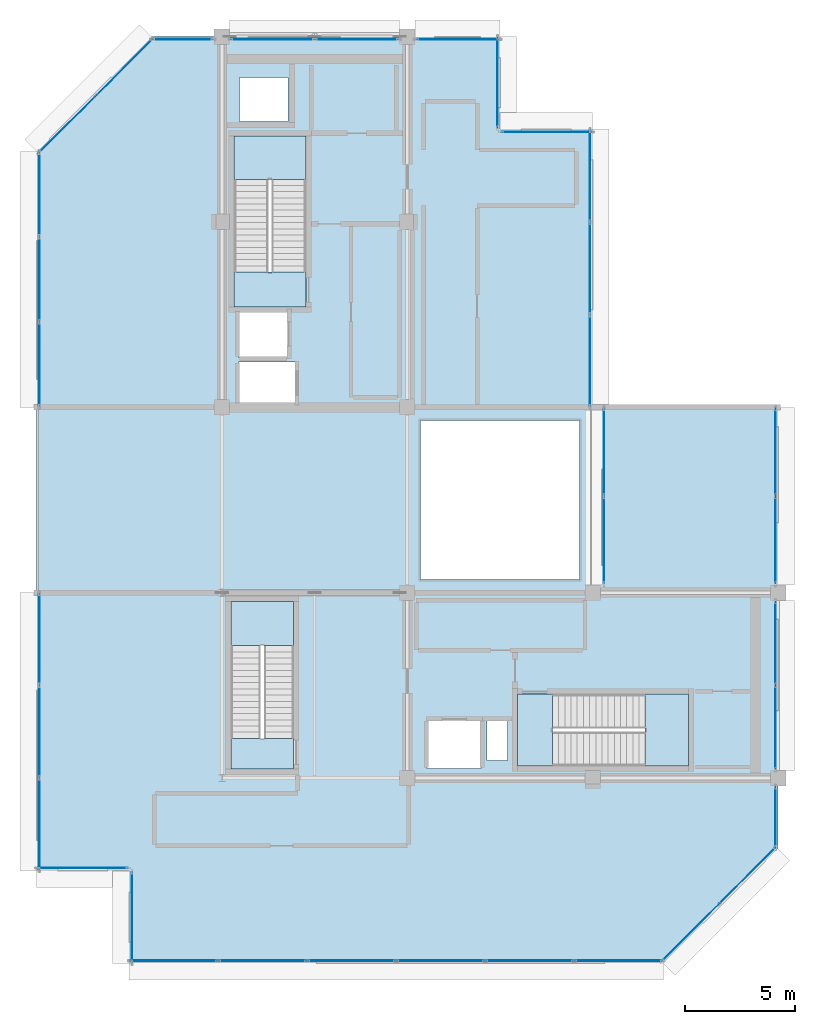
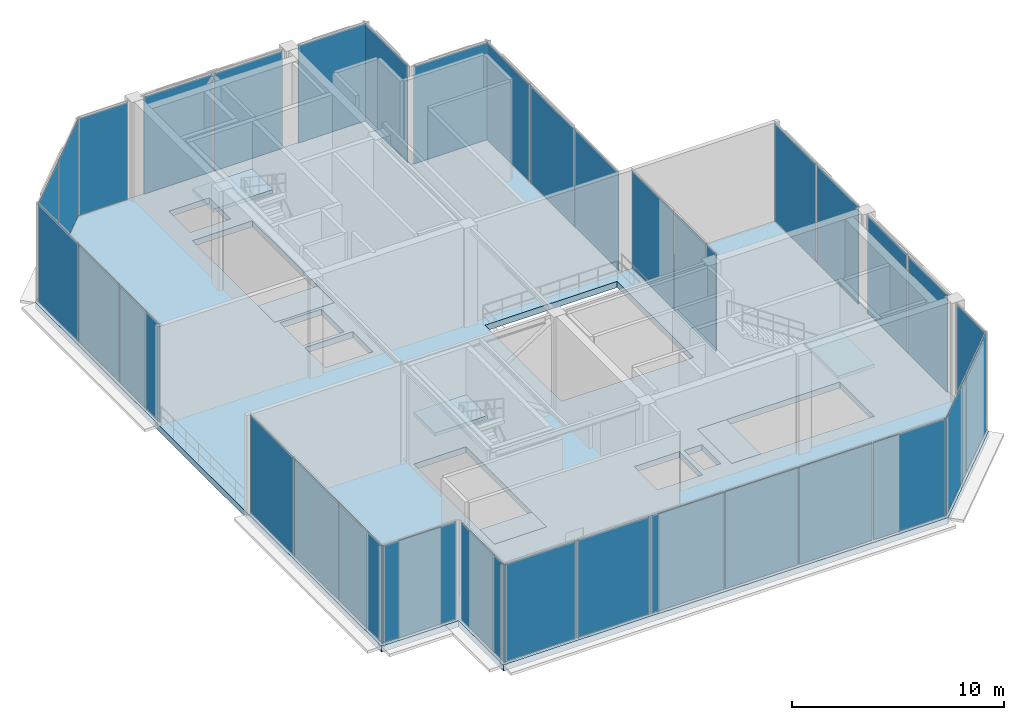
# One storey, part 14 of 19: 34 plates, 7 slabs, 20 elements without a shape of their own.
"""IFC4 building model written with IfcOpenShell, lengths in metres."""

from ifc_helpers import new_model, si_unit, direction, frame, origin, origin_2d, place, context, subcontext, project, spatial, polyline, rectangle, outline, extrude, material, layer, layer_set, type_object, element, aggregate, save


model = new_model("IFC4")

# Units and contexts
model_context = context("Model", 3, precision=1e-05, world=origin(), true_north=direction((0.0, 1.0)))
body_context = subcontext(model_context, "Body", "Model", "MODEL_VIEW")
ifc_project = project(units=[si_unit("LENGTHUNIT", "METRE"), si_unit("AREAUNIT", "SQUARE_METRE"), si_unit("VOLUMEUNIT", "CUBIC_METRE"), si_unit("PLANEANGLEUNIT", "RADIAN"), si_unit("MASSUNIT", "GRAM", prefix="KILO")], contexts=[model_context])

# Site, building, storey
site_placement = place(None, origin())
site = spatial("IfcSite", under=ifc_project, at=site_placement, CompositionType="ELEMENT")
building_placement = place(site_placement, origin())
building = spatial("IfcBuilding", under=site, at=building_placement, Name="Nerrivon Quay Data Exchange", CompositionType="ELEMENT")
storey_placement = place(building_placement, frame((0.0, 0.0, 327.0)))
storey = spatial("IfcBuildingStorey", under=building, at=storey_placement, Name="L78", CompositionType="ELEMENT", Elevation=327.0)

# Curtain wall, plates
ifc_material_1 = material(Name="Anodised aluminium 6063-T6", Category="aluminium")
ifc_layer_1 = layer(ifc_material_1, 0.22998046875)
ifc_layer_set_1 = layer_set([ifc_layer_1], Name="Anodised aluminium 6063-T6")
curtain_wall_type = type_object("IfcCurtainWallType", Name="CW-SYS-05", PredefinedType="NOTDEFINED", material=ifc_layer_set_1)
curtain_wall_1_placement = place(storey_placement, origin())
curtain_wall_1 = element("IfcCurtainWall", 1, at=curtain_wall_1_placement, inside=storey, type_object=curtain_wall_type, Name="L78 Crown Curtain Wall 1", PredefinedType="NOTDEFINED")
ifc_material_2 = material(Name="Double-glazed low-E solar control glass", Category="glass")
ifc_layer_2 = layer(ifc_material_2, 0.031982421875)
ifc_layer_set_2 = layer_set([ifc_layer_2], Name="Double-glazed low-E solar control glass")
plate_type = type_object("IfcPlateType", Name="CWP-GLZ-32", PredefinedType="CURTAIN_PANEL", material=ifc_layer_set_2)
plate_1_placement = place(storey_placement, frame((33.47998046875, 23.168701171875, 0.06494140625), z_axis=(0.0, 0.0, 1.0), x_axis=(0.0, -1.0, 0.0)))
plate_1 = element("IfcPlate", 2, at=plate_1_placement, type_object=plate_type, Name="CW05 panel 1.1", PredefinedType="CURTAIN_PANEL", context=body_context, shape_type="SweptSolid", body=[
    extrude(rectangle(XDim=3.91259765625, YDim=0.028076171875, at=origin_2d()), origin(), (0.0, 0.0, 1.0), 5.594970703125),
])
plate_2_placement = place(storey_placement, frame((33.47998046875, 19.18115234375, 0.06494140625), z_axis=(0.0, 0.0, 1.0), x_axis=(0.0, -1.0, 0.0)))
plate_2 = element("IfcPlate", 3, at=plate_2_placement, type_object=plate_type, Name="CW05 panel 2.1", PredefinedType="CURTAIN_PANEL", context=body_context, shape_type="SweptSolid", body=[
    extrude(rectangle(XDim=3.91259765625, YDim=0.028076171875, at=origin_2d()), origin(), (0.0, 0.0, 1.0), 5.594970703125),
])
aggregate(curtain_wall_1, [plate_1, plate_2])

curtain_wall_2_placement = place(storey_placement, origin())
curtain_wall_2 = element("IfcCurtainWall", 4, at=curtain_wall_2_placement, inside=storey, type_object=curtain_wall_type, Name="L78 Crown Curtain Wall 2", PredefinedType="NOTDEFINED")
plate_3_placement = place(storey_placement, frame((33.47998046875, 14.50634765625, 0.06494140625), z_axis=(0.0, 0.0, 1.0), x_axis=(0.0, -1.0, 0.0)))
plate_3 = element("IfcPlate", 5, at=plate_3_placement, type_object=plate_type, Name="CW05 panel 1.1", PredefinedType="CURTAIN_PANEL", context=body_context, shape_type="SweptSolid", body=[
    extrude(rectangle(XDim=3.737548828125, YDim=0.028076171875, at=origin_2d()), origin(), (0.0, 0.0, 1.0), 5.594970703125),
])
plate_4_placement = place(storey_placement, frame((33.47998046875, 10.69384765625, 0.06494140625), z_axis=(0.0, 0.0, 1.0), x_axis=(0.0, -1.0, 0.0)))
plate_4 = element("IfcPlate", 6, at=plate_4_placement, type_object=plate_type, Name="CW05 panel 2.1", PredefinedType="CURTAIN_PANEL", context=body_context, shape_type="SweptSolid", body=[
    extrude(rectangle(XDim=3.737548828125, YDim=0.028076171875, at=origin_2d()), origin(), (0.0, 0.0, 1.0), 5.594970703125),
])
aggregate(curtain_wall_2, [plate_3, plate_4])

# Curtain wall, plate
curtain_wall_3_placement = place(storey_placement, origin())
curtain_wall_3 = element("IfcCurtainWall", 7, at=curtain_wall_3_placement, inside=storey, type_object=curtain_wall_type, Name="L78 Crown Curtain Wall 3", PredefinedType="NOTDEFINED")
plate_5_placement = place(storey_placement, frame((33.47998046875, 6.625, 0.06494140625), z_axis=(0.0, 0.0, 1.0), x_axis=(0.0, -1.0, 0.0)))
plate_5 = element("IfcPlate", 8, at=plate_5_placement, type_object=plate_type, Name="CW05 panel 1.1", PredefinedType="CURTAIN_PANEL", context=body_context, shape_type="SweptSolid", body=[
    extrude(rectangle(XDim=2.699951171875, YDim=0.028076171875, at=origin_2d()), origin(), (0.0, 0.0, 1.0), 5.594970703125),
])
aggregate(curtain_wall_3, [plate_5])

# Curtain wall, plates
curtain_wall_4_placement = place(storey_placement, origin())
curtain_wall_4 = element("IfcCurtainWall", 9, at=curtain_wall_4_placement, inside=storey, type_object=curtain_wall_type, Name="L78 Crown Curtain Wall 4", PredefinedType="NOTDEFINED")
plate_6_placement = place(storey_placement, frame((32.201904296875, 3.9716796875, 0.06494140625), z_axis=(0.0, 0.0, 1.0), x_axis=(-0.707106781187, -0.707106781187, 0.0)))
plate_6 = element("IfcPlate", 10, at=plate_6_placement, type_object=plate_type, Name="CW05 panel 1.1", PredefinedType="CURTAIN_PANEL", context=body_context, shape_type="SweptSolid", body=[
    extrude(rectangle(XDim=3.564453125, YDim=0.028076171875, at=origin_2d()), origin(), (0.0, 0.0, 1.0), 5.594970703125),
])
plate_7_placement = place(storey_placement, frame((29.62841796875, 1.398193359375, 0.06494140625), z_axis=(0.0, 0.0, 1.0), x_axis=(-0.707106781187, -0.707106781187, 0.0)))
plate_7 = element("IfcPlate", 11, at=plate_7_placement, type_object=plate_type, Name="CW05 panel 2.1", PredefinedType="CURTAIN_PANEL", context=body_context, shape_type="SweptSolid", body=[
    extrude(rectangle(XDim=3.564453125, YDim=0.028076171875, at=origin_2d()), origin(), (0.0, 0.0, 1.0), 5.594970703125),
])
aggregate(curtain_wall_4, [plate_6, plate_7])

curtain_wall_5_placement = place(storey_placement, origin())
curtain_wall_5 = element("IfcCurtainWall", 12, at=curtain_wall_5_placement, inside=storey, type_object=curtain_wall_type, Name="L78 Crown Curtain Wall 5", PredefinedType="NOTDEFINED")
plate_8_placement = place(storey_placement, frame((26.364501953125, 0.1201171875, 0.06494140625), z_axis=(0.0, 0.0, 1.0), x_axis=(-1.0, 0.0, 0.0)))
plate_8 = element("IfcPlate", 13, at=plate_8_placement, type_object=plate_type, Name="CW05 panel 1.1", PredefinedType="CURTAIN_PANEL", context=body_context, shape_type="SweptSolid", body=[
    extrude(rectangle(XDim=3.9208984375, YDim=0.028076171875, at=origin_2d()), origin(), (0.0, 0.0, 1.0), 5.594970703125),
])
plate_9_placement = place(storey_placement, frame((22.35009765625, 0.1201171875, 0.06494140625), z_axis=(0.0, 0.0, 1.0), x_axis=(-1.0, 0.0, 0.0)))
plate_9 = element("IfcPlate", 14, at=plate_9_placement, type_object=plate_type, Name="CW05 panel 2.1", PredefinedType="CURTAIN_PANEL", context=body_context, shape_type="SweptSolid", body=[
    extrude(rectangle(XDim=3.958251953125, YDim=0.028076171875, at=origin_2d()), origin(), (0.0, 0.0, 1.0), 5.594970703125),
])
plate_10_placement = place(storey_placement, frame((18.316650390625, 0.1201171875, 0.06494140625), z_axis=(0.0, 0.0, 1.0), x_axis=(-1.0, 0.0, 0.0)))
plate_10 = element("IfcPlate", 15, at=plate_10_placement, type_object=plate_type, Name="CW05 panel 3.1", PredefinedType="CURTAIN_PANEL", context=body_context, shape_type="SweptSolid", body=[
    extrude(rectangle(XDim=3.958251953125, YDim=0.028076171875, at=origin_2d()), origin(), (0.0, 0.0, 1.0), 5.594970703125),
])
plate_11_placement = place(storey_placement, frame((14.283447265625, 0.1201171875, 0.06494140625), z_axis=(0.0, 0.0, 1.0), x_axis=(-1.0, 0.0, 0.0)))
plate_11 = element("IfcPlate", 16, at=plate_11_placement, type_object=plate_type, Name="CW05 panel 4.1", PredefinedType="CURTAIN_PANEL", context=body_context, shape_type="SweptSolid", body=[
    extrude(rectangle(XDim=3.958251953125, YDim=0.028076171875, at=origin_2d()), origin(), (0.0, 0.0, 1.0), 5.594970703125),
])
plate_12_placement = place(storey_placement, frame((10.25, 0.1201171875, 0.06494140625), z_axis=(0.0, 0.0, 1.0), x_axis=(-1.0, 0.0, 0.0)))
plate_12 = element("IfcPlate", 17, at=plate_12_placement, type_object=plate_type, Name="CW05 panel 5.1", PredefinedType="CURTAIN_PANEL", context=body_context, shape_type="SweptSolid", body=[
    extrude(rectangle(XDim=3.958251953125, YDim=0.028076171875, at=origin_2d()), origin(), (0.0, 0.0, 1.0), 5.594970703125),
])
plate_13_placement = place(storey_placement, frame((6.2353515625, 0.1201171875, 0.06494140625), z_axis=(0.0, 0.0, 1.0), x_axis=(-1.0, 0.0, 0.0)))
plate_13 = element("IfcPlate", 18, at=plate_13_placement, type_object=plate_type, Name="CW05 panel 6.1", PredefinedType="CURTAIN_PANEL", context=body_context, shape_type="SweptSolid", body=[
    extrude(rectangle(XDim=3.9208984375, YDim=0.028076171875, at=origin_2d()), origin(), (0.0, 0.0, 1.0), 5.594970703125),
])
aggregate(curtain_wall_5, [plate_8, plate_9, plate_10, plate_11, plate_12, plate_13])

# Curtain wall, plate
curtain_wall_6_placement = place(storey_placement, origin())
curtain_wall_6 = element("IfcCurtainWall", 19, at=curtain_wall_6_placement, inside=storey, type_object=curtain_wall_type, Name="L78 Crown Curtain Wall 6", PredefinedType="NOTDEFINED")
plate_14_placement = place(storey_placement, frame((4.320068359375, 2.10009765625, 0.06494140625), z_axis=(0.0, 0.0, 1.0), x_axis=(0.0, 1.0, 0.0)))
plate_14 = element("IfcPlate", 20, at=plate_14_placement, type_object=plate_type, Name="CW05 panel 1.1", PredefinedType="CURTAIN_PANEL", context=body_context, shape_type="SweptSolid", body=[
    extrude(rectangle(XDim=4.050048828125, YDim=0.028076171875, at=origin_2d()), origin(), (0.0, 0.0, 1.0), 5.594970703125),
])
aggregate(curtain_wall_6, [plate_14])

curtain_wall_7_placement = place(storey_placement, origin())
curtain_wall_7 = element("IfcCurtainWall", 21, at=curtain_wall_7_placement, inside=storey, type_object=curtain_wall_type, Name="L78 Crown Curtain Wall 7", PredefinedType="NOTDEFINED")
plate_15_placement = place(storey_placement, frame((2.10009765625, 4.320068359375, 0.06494140625), z_axis=(0.0, 0.0, 1.0), x_axis=(-1.0, 0.0, 0.0)))
plate_15 = element("IfcPlate", 22, at=plate_15_placement, type_object=plate_type, Name="CW05 panel 1.1", PredefinedType="CURTAIN_PANEL", context=body_context, shape_type="SweptSolid", body=[
    extrude(rectangle(XDim=4.050048828125, YDim=0.028076171875, at=origin_2d()), origin(), (0.0, 0.0, 1.0), 5.594970703125),
])
aggregate(curtain_wall_7, [plate_15])

# Curtain wall, plates
curtain_wall_8_placement = place(storey_placement, origin())
curtain_wall_8 = element("IfcCurtainWall", 23, at=curtain_wall_8_placement, inside=storey, type_object=curtain_wall_type, Name="L78 Crown Curtain Wall 8", PredefinedType="NOTDEFINED")
plate_16_placement = place(storey_placement, frame((0.1201171875, 6.31884765625, 0.06494140625), z_axis=(0.0, 0.0, 1.0), x_axis=(0.0, 1.0, 0.0)))
plate_16 = element("IfcPlate", 24, at=plate_16_placement, type_object=plate_type, Name="CW05 panel 1.1", PredefinedType="CURTAIN_PANEL", context=body_context, shape_type="SweptSolid", body=[
    extrude(rectangle(XDim=4.08740234375, YDim=0.028076171875, at=origin_2d()), origin(), (0.0, 0.0, 1.0), 5.594970703125),
])
plate_17_placement = place(storey_placement, frame((0.1201171875, 10.5, 0.06494140625), z_axis=(0.0, 0.0, 1.0), x_axis=(0.0, 1.0, 0.0)))
plate_17 = element("IfcPlate", 25, at=plate_17_placement, type_object=plate_type, Name="CW05 panel 2.1", PredefinedType="CURTAIN_PANEL", context=body_context, shape_type="SweptSolid", body=[
    extrude(rectangle(XDim=4.125, YDim=0.028076171875, at=origin_2d()), origin(), (0.0, 0.0, 1.0), 5.594970703125),
])
plate_18_placement = place(storey_placement, frame((0.1201171875, 14.68115234375, 0.06494140625), z_axis=(0.0, 0.0, 1.0), x_axis=(0.0, 1.0, 0.0)))
plate_18 = element("IfcPlate", 26, at=plate_18_placement, type_object=plate_type, Name="CW05 panel 3.1", PredefinedType="CURTAIN_PANEL", context=body_context, shape_type="SweptSolid", body=[
    extrude(rectangle(XDim=4.08740234375, YDim=0.028076171875, at=origin_2d()), origin(), (0.0, 0.0, 1.0), 5.594970703125),
])
aggregate(curtain_wall_8, [plate_16, plate_17, plate_18])

curtain_wall_9_placement = place(storey_placement, origin())
curtain_wall_9 = element("IfcCurtainWall", 27, at=curtain_wall_9_placement, inside=storey, type_object=curtain_wall_type, Name="L78 Crown Curtain Wall 12", PredefinedType="NOTDEFINED")
plate_19_placement = place(storey_placement, frame((25.719970703125, 19.18115234375, 0.06494140625), z_axis=(0.0, 0.0, 1.0), x_axis=(0.0, 1.0, 0.0)))
plate_19 = element("IfcPlate", 28, at=plate_19_placement, type_object=plate_type, Name="CW05 panel 1.1", PredefinedType="CURTAIN_PANEL", context=body_context, shape_type="SweptSolid", body=[
    extrude(rectangle(XDim=3.91259765625, YDim=0.028076171875, at=origin_2d()), origin(), (0.0, 0.0, 1.0), 5.594970703125),
])
plate_20_placement = place(storey_placement, frame((25.719970703125, 23.168701171875, 0.06494140625), z_axis=(0.0, 0.0, 1.0), x_axis=(0.0, 1.0, 0.0)))
plate_20 = element("IfcPlate", 29, at=plate_20_placement, type_object=plate_type, Name="CW05 panel 2.1", PredefinedType="CURTAIN_PANEL", context=body_context, shape_type="SweptSolid", body=[
    extrude(rectangle(XDim=3.91259765625, YDim=0.028076171875, at=origin_2d()), origin(), (0.0, 0.0, 1.0), 5.594970703125),
])
aggregate(curtain_wall_9, [plate_19, plate_20])

curtain_wall_10_placement = place(storey_placement, origin())
curtain_wall_10 = element("IfcCurtainWall", 30, at=curtain_wall_10_placement, inside=storey, type_object=curtain_wall_type, Name="L78 Crown Curtain Wall 14", PredefinedType="NOTDEFINED")
plate_21_placement = place(storey_placement, frame((1.398193359375, 38.0283203125, 0.06494140625), z_axis=(0.0, 0.0, 1.0), x_axis=(0.707106781187, 0.707106781187, 0.0)))
plate_21 = element("IfcPlate", 31, at=plate_21_placement, type_object=plate_type, Name="CW05 panel 1.1", PredefinedType="CURTAIN_PANEL", context=body_context, shape_type="SweptSolid", body=[
    extrude(rectangle(XDim=3.564453125, YDim=0.028076171875, at=origin_2d()), origin(), (0.0, 0.0, 1.0), 5.594970703125),
])
plate_22_placement = place(storey_placement, frame((3.9716796875, 40.601806640625, 0.06494140625), z_axis=(0.0, 0.0, 1.0), x_axis=(0.707106781187, 0.707106781187, 0.0)))
plate_22 = element("IfcPlate", 32, at=plate_22_placement, type_object=plate_type, Name="CW05 panel 2.1", PredefinedType="CURTAIN_PANEL", context=body_context, shape_type="SweptSolid", body=[
    extrude(rectangle(XDim=3.564453125, YDim=0.028076171875, at=origin_2d()), origin(), (0.0, 0.0, 1.0), 5.594970703125),
])
aggregate(curtain_wall_10, [plate_21, plate_22])

# Curtain wall, plate
curtain_wall_11_placement = place(storey_placement, origin())
curtain_wall_11 = element("IfcCurtainWall", 33, at=curtain_wall_11_placement, inside=storey, type_object=curtain_wall_type, Name="L78 Crown Curtain Wall 15", PredefinedType="NOTDEFINED")
plate_23_placement = place(storey_placement, frame((6.625, 41.8798828125, 0.06494140625), z_axis=(0.0, 0.0, 1.0), x_axis=(1.0, 0.0, 0.0)))
plate_23 = element("IfcPlate", 34, at=plate_23_placement, type_object=plate_type, Name="CW05 panel 1.1", PredefinedType="CURTAIN_PANEL", context=body_context, shape_type="SweptSolid", body=[
    extrude(rectangle(XDim=2.699951171875, YDim=0.028076171875, at=origin_2d()), origin(), (0.0, 0.0, 1.0), 5.594970703125),
])
aggregate(curtain_wall_11, [plate_23])

# Curtain wall, plates
curtain_wall_12_placement = place(storey_placement, origin())
curtain_wall_12 = element("IfcCurtainWall", 35, at=curtain_wall_12_placement, inside=storey, type_object=curtain_wall_type, Name="L78 Crown Curtain Wall 16", PredefinedType="NOTDEFINED")
plate_24_placement = place(storey_placement, frame((10.69384765625, 41.8798828125, 0.06494140625), z_axis=(0.0, 0.0, 1.0), x_axis=(1.0, 0.0, 0.0)))
plate_24 = element("IfcPlate", 36, at=plate_24_placement, type_object=plate_type, Name="CW05 panel 1.1", PredefinedType="CURTAIN_PANEL", context=body_context, shape_type="SweptSolid", body=[
    extrude(rectangle(XDim=3.737548828125, YDim=0.028076171875, at=origin_2d()), origin(), (0.0, 0.0, 1.0), 5.594970703125),
])
plate_25_placement = place(storey_placement, frame((14.50634765625, 41.8798828125, 0.06494140625), z_axis=(0.0, 0.0, 1.0), x_axis=(1.0, 0.0, 0.0)))
plate_25 = element("IfcPlate", 37, at=plate_25_placement, type_object=plate_type, Name="CW05 panel 2.1", PredefinedType="CURTAIN_PANEL", context=body_context, shape_type="SweptSolid", body=[
    extrude(rectangle(XDim=3.737548828125, YDim=0.028076171875, at=origin_2d()), origin(), (0.0, 0.0, 1.0), 5.594970703125),
])
aggregate(curtain_wall_12, [plate_24, plate_25])

# Curtain wall, plate
curtain_wall_13_placement = place(storey_placement, origin())
curtain_wall_13 = element("IfcCurtainWall", 38, at=curtain_wall_13_placement, inside=storey, type_object=curtain_wall_type, Name="L78 Crown Curtain Wall 17", PredefinedType="NOTDEFINED")
plate_26_placement = place(storey_placement, frame((19.074951171875, 41.8798828125, 0.06494140625), z_axis=(0.0, 0.0, 1.0), x_axis=(1.0, 0.0, 0.0)))
plate_26 = element("IfcPlate", 39, at=plate_26_placement, type_object=plate_type, Name="CW05 panel 1.1", PredefinedType="CURTAIN_PANEL", context=body_context, shape_type="SweptSolid", body=[
    extrude(rectangle(XDim=3.699951171875, YDim=0.028076171875, at=origin_2d()), origin(), (0.0, 0.0, 1.0), 5.594970703125),
])
aggregate(curtain_wall_13, [plate_26])

curtain_wall_14_placement = place(storey_placement, origin())
curtain_wall_14 = element("IfcCurtainWall", 40, at=curtain_wall_14_placement, inside=storey, type_object=curtain_wall_type, Name="L78 Crown Curtain Wall 18", PredefinedType="NOTDEFINED")
plate_27_placement = place(storey_placement, frame((20.8798828125, 39.89990234375, 0.06494140625), z_axis=(0.0, 0.0, 1.0), x_axis=(0.0, -1.0, 0.0)))
plate_27 = element("IfcPlate", 41, at=plate_27_placement, type_object=plate_type, Name="CW05 panel 1.1", PredefinedType="CURTAIN_PANEL", context=body_context, shape_type="SweptSolid", body=[
    extrude(rectangle(XDim=4.050048828125, YDim=0.028076171875, at=origin_2d()), origin(), (0.0, 0.0, 1.0), 5.594970703125),
])
aggregate(curtain_wall_14, [plate_27])

curtain_wall_15_placement = place(storey_placement, origin())
curtain_wall_15 = element("IfcCurtainWall", 42, at=curtain_wall_15_placement, inside=storey, type_object=curtain_wall_type, Name="L78 Crown Curtain Wall 19", PredefinedType="NOTDEFINED")
plate_28_placement = place(storey_placement, frame((23.10009765625, 37.679931640625, 0.06494140625), z_axis=(0.0, 0.0, 1.0), x_axis=(1.0, 0.0, 0.0)))
plate_28 = element("IfcPlate", 43, at=plate_28_placement, type_object=plate_type, Name="CW05 panel 1.1", PredefinedType="CURTAIN_PANEL", context=body_context, shape_type="SweptSolid", body=[
    extrude(rectangle(XDim=4.050048828125, YDim=0.028076171875, at=origin_2d()), origin(), (0.0, 0.0, 1.0), 5.594970703125),
])
aggregate(curtain_wall_15, [plate_28])

# Curtain wall, plates
curtain_wall_16_placement = place(storey_placement, origin())
curtain_wall_16 = element("IfcCurtainWall", 44, at=curtain_wall_16_placement, inside=storey, type_object=curtain_wall_type, Name="L78 Crown Curtain Wall 20", PredefinedType="NOTDEFINED")
plate_29_placement = place(storey_placement, frame((25.080078125, 35.68115234375, 0.06494140625), z_axis=(0.0, 0.0, 1.0), x_axis=(0.0, -1.0, 0.0)))
plate_29 = element("IfcPlate", 45, at=plate_29_placement, type_object=plate_type, Name="CW05 panel 1.1", PredefinedType="CURTAIN_PANEL", context=body_context, shape_type="SweptSolid", body=[
    extrude(rectangle(XDim=4.08740234375, YDim=0.028076171875, at=origin_2d()), origin(), (0.0, 0.0, 1.0), 5.594970703125),
])
plate_30_placement = place(storey_placement, frame((25.080078125, 31.5, 0.06494140625), z_axis=(0.0, 0.0, 1.0), x_axis=(0.0, -1.0, 0.0)))
plate_30 = element("IfcPlate", 46, at=plate_30_placement, type_object=plate_type, Name="CW05 panel 2.1", PredefinedType="CURTAIN_PANEL", context=body_context, shape_type="SweptSolid", body=[
    extrude(rectangle(XDim=4.125, YDim=0.028076171875, at=origin_2d()), origin(), (0.0, 0.0, 1.0), 5.594970703125),
])
plate_31_placement = place(storey_placement, frame((25.080078125, 27.31884765625, 0.06494140625), z_axis=(0.0, 0.0, 1.0), x_axis=(0.0, -1.0, 0.0)))
plate_31 = element("IfcPlate", 47, at=plate_31_placement, type_object=plate_type, Name="CW05 panel 3.1", PredefinedType="CURTAIN_PANEL", context=body_context, shape_type="SweptSolid", body=[
    extrude(rectangle(XDim=4.08740234375, YDim=0.028076171875, at=origin_2d()), origin(), (0.0, 0.0, 1.0), 5.594970703125),
])
aggregate(curtain_wall_16, [plate_29, plate_30, plate_31])

curtain_wall_17_placement = place(storey_placement, origin())
curtain_wall_17 = element("IfcCurtainWall", 48, at=curtain_wall_17_placement, inside=storey, type_object=curtain_wall_type, Name="L78 Crown Curtain Wall 24", PredefinedType="NOTDEFINED")
plate_32_placement = place(storey_placement, frame((0.1201171875, 27.152099609375, 0.06494140625), z_axis=(0.0, 0.0, 1.0), x_axis=(0.0, 1.0, 0.0)))
plate_32 = element("IfcPlate", 49, at=plate_32_placement, type_object=plate_type, Name="CW05 panel 1.1", PredefinedType="CURTAIN_PANEL", context=body_context, shape_type="SweptSolid", body=[
    extrude(rectangle(XDim=3.754150390625, YDim=0.028076171875, at=origin_2d()), origin(), (0.0, 0.0, 1.0), 5.594970703125),
])
plate_33_placement = place(storey_placement, frame((0.1201171875, 31.0, 0.06494140625), z_axis=(0.0, 0.0, 1.0), x_axis=(0.0, 1.0, 0.0)))
plate_33 = element("IfcPlate", 50, at=plate_33_placement, type_object=plate_type, Name="CW05 panel 2.1", PredefinedType="CURTAIN_PANEL", context=body_context, shape_type="SweptSolid", body=[
    extrude(rectangle(XDim=3.791748046875, YDim=0.028076171875, at=origin_2d()), origin(), (0.0, 0.0, 1.0), 5.594970703125),
])
plate_34_placement = place(storey_placement, frame((0.1201171875, 34.847900390625, 0.06494140625), z_axis=(0.0, 0.0, 1.0), x_axis=(0.0, 1.0, 0.0)))
plate_34 = element("IfcPlate", 51, at=plate_34_placement, type_object=plate_type, Name="CW05 panel 3.1", PredefinedType="CURTAIN_PANEL", context=body_context, shape_type="SweptSolid", body=[
    extrude(rectangle(XDim=3.754150390625, YDim=0.028076171875, at=origin_2d()), origin(), (0.0, 0.0, 1.0), 5.594970703125),
])
aggregate(curtain_wall_17, [plate_32, plate_33, plate_34])

# Stair, slab
ifc_material_3 = material(Name="Concrete N50 (50 MPa)", Category="concrete")
stair_type = type_object("IfcStairType", Name="STAIR-DOG-54", PredefinedType="HALF_TURN_STAIR", material=ifc_material_3)
stair_1_placement = place(storey_placement, origin())
stair_1 = element("IfcStair", 52, at=stair_1_placement, inside=storey, type_object=stair_type, Name="L78 West Core Fire Stair ST01", PredefinedType="HALF_TURN_STAIR")
ifc_layer_3 = layer(ifc_material_3, 0.199951171875)
ifc_layer_set_3 = layer_set([ifc_layer_3], Name="Concrete N50 (50 MPa)")
slab_type_1 = type_object("IfcSlabType", Name="SLB-LAND-200", PredefinedType="LANDING", material=ifc_layer_set_3)
slab_1_placement = place(storey_placement, frame((0.0, 0.0, 2.800048828125)))
slab_1 = element("IfcSlab", 53, at=slab_1_placement, type_object=slab_type_1, Name="ST01 landing 1", PredefinedType="LANDING", context=body_context, shape_type="SweptSolid", body=[
    extrude(outline(polyline([(12.199951171875, 35.530029296875), (12.199951171875, 37.5), (8.949951171875, 37.5), (8.949951171875, 35.530029296875), (12.199951171875, 35.530029296875)])), origin(), (0.0, 0.0, 1.0), 0.199951171875),
])
aggregate(stair_1, [slab_1])

# Slab
slab_2_placement = place(storey_placement, frame((0.0, 0.0, -0.199951171875)))
element("IfcSlab", 54, at=slab_2_placement, inside=storey, type_object=slab_type_1, Name="L78 ST01 floor landing", PredefinedType="LANDING", context=body_context, shape_type="SweptSolid", body=[
    extrude(outline(polyline([(12.199951171875, 29.75), (12.199951171875, 31.330078125), (8.949951171875, 31.330078125), (8.949951171875, 29.75), (12.199951171875, 29.75)])), origin(), (0.0, 0.0, 1.0), 0.199951171875),
])

# Stair, slab
stair_2_placement = place(storey_placement, origin())
stair_2 = element("IfcStair", 55, at=stair_2_placement, inside=storey, type_object=stair_type, Name="L78 East Core Fire Stair ST02", PredefinedType="HALF_TURN_STAIR")
slab_3_placement = place(storey_placement, frame((0.0, 0.0, 2.800048828125)))
slab_3 = element("IfcSlab", 56, at=slab_3_placement, type_object=slab_type_1, Name="ST02 landing 1", PredefinedType="LANDING", context=body_context, shape_type="SweptSolid", body=[
    extrude(outline(polyline([(27.580078125, 8.949951171875), (29.550048828125, 8.949951171875), (29.550048828125, 12.199951171875), (27.580078125, 12.199951171875), (27.580078125, 8.949951171875)])), origin(), (0.0, 0.0, 1.0), 0.199951171875),
])
aggregate(stair_2, [slab_3])

# Slab
slab_4_placement = place(storey_placement, frame((0.0, 0.0, -0.199951171875)))
element("IfcSlab", 57, at=slab_4_placement, inside=storey, type_object=slab_type_1, Name="L78 ST02 floor landing", PredefinedType="LANDING", context=body_context, shape_type="SweptSolid", body=[
    extrude(outline(polyline([(21.800048828125, 8.949951171875), (23.3798828125, 8.949951171875), (23.3798828125, 12.199951171875), (21.800048828125, 12.199951171875), (21.800048828125, 8.949951171875)])), origin(), (0.0, 0.0, 1.0), 0.199951171875),
])

# Stair, slab
stair_3_placement = place(storey_placement, origin())
stair_3 = element("IfcStair", 58, at=stair_3_placement, inside=storey, type_object=stair_type, Name="L78 Crown Maintenance Stair ST08", PredefinedType="HALF_TURN_STAIR")
slab_5_placement = place(storey_placement, frame((0.0, 0.0, 2.800048828125)))
slab_5 = element("IfcSlab", 59, at=slab_5_placement, type_object=slab_type_1, Name="ST08 landing 1", PredefinedType="LANDING", context=body_context, shape_type="SweptSolid", body=[
    extrude(outline(polyline([(11.64990234375, 14.39990234375), (11.64990234375, 16.39990234375), (8.800048828125, 16.39990234375), (8.800048828125, 14.39990234375), (11.64990234375, 14.39990234375)])), origin(), (0.0, 0.0, 1.0), 0.199951171875),
])
aggregate(stair_3, [slab_5])

# Slabs
slab_6_placement = place(storey_placement, frame((0.0, 0.0, -0.199951171875)))
element("IfcSlab", 60, at=slab_6_placement, inside=storey, type_object=slab_type_1, Name="L78 ST08 floor landing", PredefinedType="LANDING", context=body_context, shape_type="SweptSolid", body=[
    extrude(outline(polyline([(11.64990234375, 8.800048828125), (11.64990234375, 10.199951171875), (8.800048828125, 10.199951171875), (8.800048828125, 8.800048828125), (11.64990234375, 8.800048828125)])), origin(), (0.0, 0.0, 1.0), 0.199951171875),
])
ifc_material_4 = material(Name="Concrete S65 (65 MPa)", Category="concrete")
ifc_layer_4 = layer(ifc_material_4, 0.35009765625)
ifc_layer_set_4 = layer_set([ifc_layer_4], Name="Concrete S65 (65 MPa)")
slab_type_2 = type_object("IfcSlabType", Name="SLB-TRANS-350", PredefinedType="FLOOR", material=ifc_layer_set_4)
slab_7_placement = place(storey_placement, frame((0.0, 0.0, -0.35009765625)))
element("IfcSlab", 61, at=slab_7_placement, inside=storey, type_object=slab_type_2, Name="L78 Primary Structural Slab", PredefinedType="FLOOR", context=body_context, shape_type="SweptSolid", body=[
    extrude(outline(polyline([(33.60009765625, 25.199951171875), (25.199951171875, 25.199951171875), (25.199951171875, 37.800048828125), (21.0, 37.800048828125), (21.0, 42.0), (5.199951171875, 42.0), (0.0, 36.800048828125), (0.0, 4.199951171875), (4.199951171875, 4.199951171875), (4.199951171875, 0.0), (28.39990234375, 0.0), (33.60009765625, 5.199951171875), (33.60009765625, 25.199951171875)]), holes=[polyline([(8.949951171875, 29.75), (8.949951171875, 37.5), (12.199951171875, 37.5), (12.199951171875, 29.75), (8.949951171875, 29.75)]), polyline([(21.800048828125, 12.199951171875), (29.550048828125, 12.199951171875), (29.550048828125, 8.949951171875), (21.800048828125, 8.949951171875), (21.800048828125, 12.199951171875)]), polyline([(8.800048828125, 8.800048828125), (8.800048828125, 16.39990234375), (11.64990234375, 16.39990234375), (11.64990234375, 8.800048828125), (8.800048828125, 8.800048828125)]), polyline([(24.60009765625, 17.39990234375), (17.39990234375, 17.39990234375), (17.39990234375, 24.60009765625), (24.60009765625, 24.60009765625), (24.60009765625, 17.39990234375)]), polyline([(20.39990234375, 9.199951171875), (20.39990234375, 11.0), (21.35009765625, 11.0), (21.35009765625, 9.199951171875), (20.39990234375, 9.199951171875)]), polyline([(20.14990234375, 8.830078125), (17.699951171875, 8.830078125), (17.699951171875, 11.030029296875), (20.14990234375, 11.030029296875), (20.14990234375, 8.830078125)]), polyline([(11.75, 25.35009765625), (9.14990234375, 25.35009765625), (9.14990234375, 27.25), (11.75, 27.25), (11.75, 25.35009765625)]), polyline([(9.14990234375, 27.449951171875), (9.14990234375, 29.60009765625), (11.39990234375, 29.60009765625), (11.39990234375, 27.449951171875), (9.14990234375, 27.449951171875)]), polyline([(9.199951171875, 38.14990234375), (9.199951171875, 40.14990234375), (11.39990234375, 40.14990234375), (11.39990234375, 38.14990234375), (9.199951171875, 38.14990234375)])]), origin(), (0.0, 0.0, 1.0), 0.35009765625),
])

save(model, "model.ifc")
